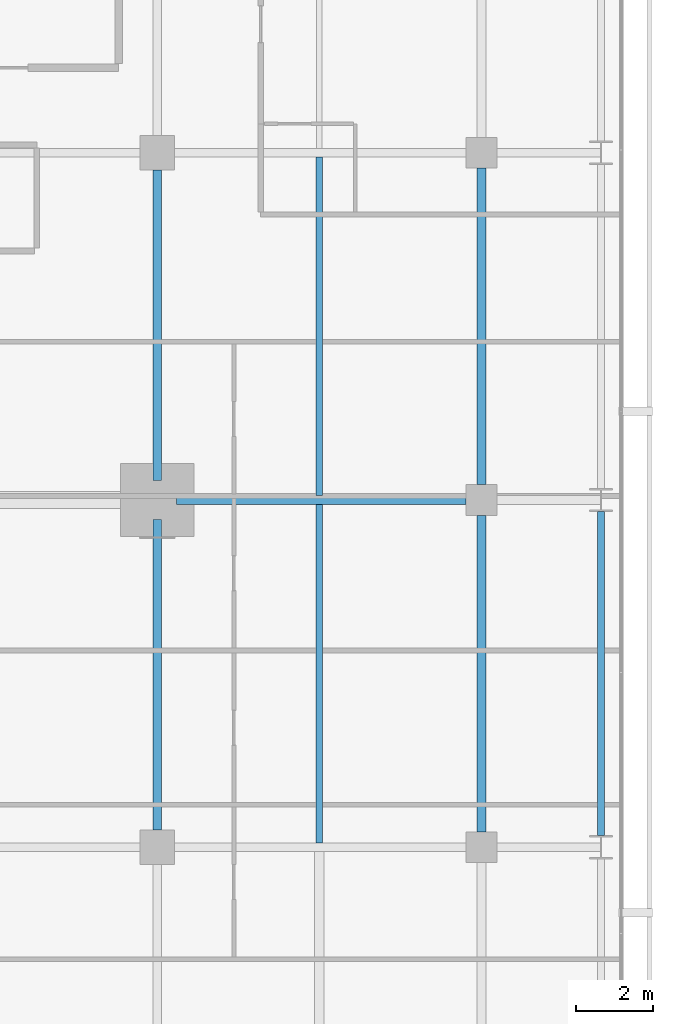
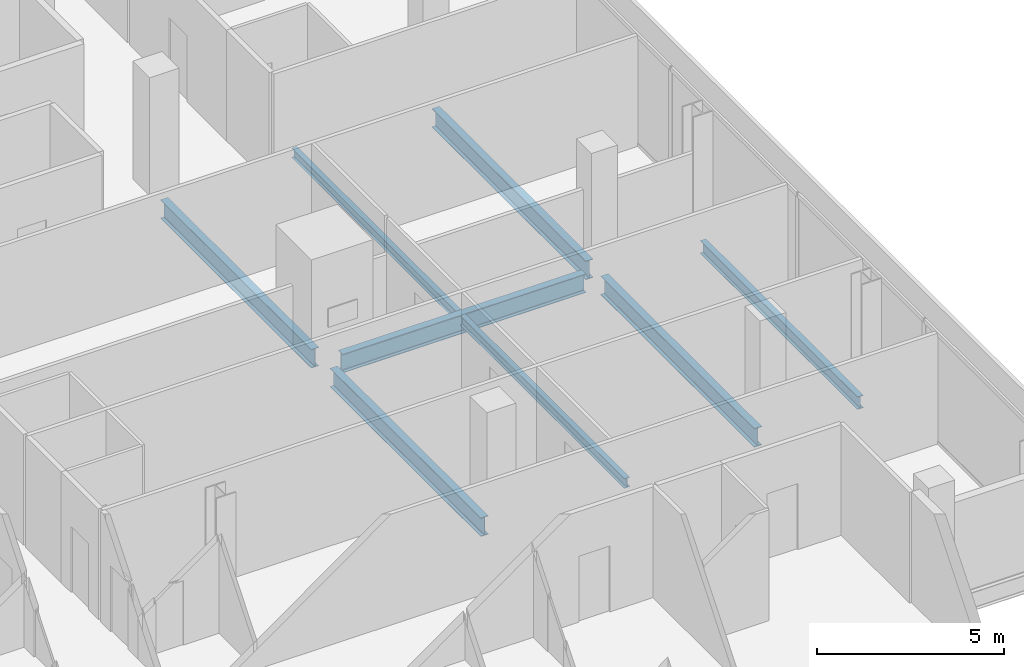
# One storey, part 16 of 34: 8 beams.
"""IFC4 building model written with IfcOpenShell, lengths in metres."""

from ifc_helpers import new_model, si_unit, direction, frame, origin, origin_2d, place, context, subcontext, project, spatial, i_section, extrude, material, material_profile, profile_set, type_object, element, save


model = new_model("IFC4")

# Units and contexts
model_context = context("Model", 3, precision=1e-05, world=origin(), true_north=direction((0.0, 1.0)))
body_context = subcontext(model_context, "Body", "Model", "MODEL_VIEW")
ifc_project = project(units=[si_unit("LENGTHUNIT", "METRE"), si_unit("AREAUNIT", "SQUARE_METRE"), si_unit("VOLUMEUNIT", "CUBIC_METRE"), si_unit("PLANEANGLEUNIT", "RADIAN"), si_unit("MASSUNIT", "GRAM", prefix="KILO")], contexts=[model_context])

# Site, building, storey
site_placement = place(None, origin())
site = spatial("IfcSite", under=ifc_project, at=site_placement, CompositionType="ELEMENT")
building_placement = place(site_placement, origin())
building = spatial("IfcBuilding", under=site, at=building_placement, Name="Maruvema Waterfront Hotel and Observation Tower", CompositionType="ELEMENT")
storey_placement = place(building_placement, frame((0.0, 0.0, 135.10009765625)))
storey = spatial("IfcBuildingStorey", under=building, at=storey_placement, Name="L32", CompositionType="ELEMENT", Elevation=135.10009765625)

# Beams
ifc_material_1 = material(Name="Steel ASTM A572 Grade 50", Category="steel")
ifc_material_profile_1 = material_profile(ifc_material_1, i_section(OverallWidth=0.180908203125, OverallDepth=0.4169921875, WebThickness=0.010986328125, FlangeThickness=0.018310546875, FilletRadius=0.014892578125, at=origin_2d()), Name="W410x85.0")
ifc_profile_set_1 = profile_set([ifc_material_profile_1], Name="Steel ASTM A572 Grade 50")
beam_type_1 = type_object("IfcBeamType", Name="Perimeter Spandrel Beam W410x85.0", PredefinedType="SPANDREL", material=ifc_profile_set_1)
beam_1_placement = place(storey_placement, frame((61.89990234375, 18.300048828125, -0.448486328125), z_axis=(0.0, 1.0, 0.0), x_axis=(-1.0, 0.0, 0.0)))
element("IfcBeam", 1, at=beam_1_placement, inside=storey, type_object=beam_type_1, Name="L32 Floor Girder NS-30", PredefinedType="SPANDREL", context=body_context, shape_type="SweptSolid", body=[
    extrude(i_section(OverallWidth=0.180908203125, OverallDepth=0.4169921875, WebThickness=0.010986328125, FlangeThickness=0.018310546875, FilletRadius=0.014892578125, at=origin_2d()), origin(), (0.0, 0.0, 1.0), 8.39990234375),
])
ifc_material_2 = material(Name="Steel ASTM A572 Grade 50", Category="steel")
ifc_material_profile_2 = material_profile(ifc_material_2, i_section(OverallWidth=0.22900390625, OverallDepth=0.612060546875, WebThickness=0.011962890625, FlangeThickness=0.01953125, FilletRadius=0.01806640625, at=origin_2d()), Name="W610x125.0")
ifc_profile_set_2 = profile_set([ifc_material_profile_2], Name="Steel ASTM A572 Grade 50")
beam_type_2 = type_object("IfcBeamType", Name="Primary Floor Girder W610x125.0", PredefinedType="BEAM", material=ifc_profile_set_2)
beam_2_placement = place(storey_placement, frame((50.89990234375, 27.0, -0.546142578125), z_axis=(1.0, 0.0, 0.0), x_axis=(0.0, 1.0, 0.0)))
element("IfcBeam", 2, at=beam_2_placement, inside=storey, type_object=beam_type_2, Name="L32 Floor Girder EW-21", PredefinedType="BEAM", context=body_context, shape_type="SweptSolid", body=[
    extrude(i_section(OverallWidth=0.22900390625, OverallDepth=0.612060546875, WebThickness=0.011962890625, FlangeThickness=0.01953125, FilletRadius=0.01806640625, at=origin_2d()), origin(), (0.0, 0.0, 1.0), 7.5),
])
for number, where, z_axis, x_axis, name in (
    (3, (50.39990234375, 18.449951171875, -0.546142578125), (0.0, 1.0, 0.0), (-1.0, 0.0, 0.0), "L32 Floor Girder NS-22"),
    (4, (50.39990234375, 27.5, -0.546142578125), (0.0, 1.0, 0.0), (-1.0, 0.0, 0.0), "L32 Floor Girder NS-23"),
):
    element("IfcBeam", number, at=place(storey_placement, frame(where, z_axis=z_axis, x_axis=x_axis)), inside=storey, type_object=beam_type_2, Name=name, PredefinedType="BEAM", context=body_context, shape_type="SweptSolid", body=[
        extrude(i_section(OverallWidth=0.22900390625, OverallDepth=0.612060546875, WebThickness=0.011962890625, FlangeThickness=0.01953125, FilletRadius=0.01806640625, at=origin_2d()), origin(), (0.0, 0.0, 1.0), 8.050048828125),
    ])
for number, where, z_axis, x_axis, name in (
    (5, (58.800048828125, 18.39990234375, -0.546142578125), (0.0, 1.0, 0.0), (-1.0, 0.0, 0.0), "L32 Floor Girder NS-26"),
    (6, (58.800048828125, 27.39990234375, -0.546142578125), (0.0, 1.0, 0.0), (-1.0, 0.0, 0.0), "L32 Floor Girder NS-27"),
):
    element("IfcBeam", number, at=place(storey_placement, frame(where, z_axis=z_axis, x_axis=x_axis)), inside=storey, type_object=beam_type_2, Name=name, PredefinedType="BEAM", context=body_context, shape_type="SweptSolid", body=[
        extrude(i_section(OverallWidth=0.22900390625, OverallDepth=0.612060546875, WebThickness=0.011962890625, FlangeThickness=0.01953125, FilletRadius=0.01806640625, at=origin_2d()), origin(), (0.0, 0.0, 1.0), 8.2001953125),
    ])
ifc_material_3 = material(Name="Steel ASTM A572 Grade 50", Category="steel")
ifc_material_profile_3 = material_profile(ifc_material_3, i_section(OverallWidth=0.1650390625, OverallDepth=0.31005859375, WebThickness=0.005859375, FlangeThickness=0.009765625, FilletRadius=0.012939453125, at=origin_2d()), Name="W310x38.7")
ifc_profile_set_3 = profile_set([ifc_material_profile_3], Name="Steel ASTM A572 Grade 50")
beam_type_3 = type_object("IfcBeamType", Name="Secondary Floor Joist W310x38.7", PredefinedType="JOIST", material=ifc_profile_set_3)
beam_3_placement = place(storey_placement, frame((54.60009765625, 27.114501953125, -0.39501953125), z_axis=(0.0, 1.0, 0.0), x_axis=(-1.0, 0.0, 0.0)))
element("IfcBeam", 7, at=beam_3_placement, inside=storey, type_object=beam_type_3, Name="L32 Secondary Floor Joist JS-13", PredefinedType="JOIST", context=body_context, shape_type="SweptSolid", body=[
    extrude(i_section(OverallWidth=0.1650390625, OverallDepth=0.31005859375, WebThickness=0.005859375, FlangeThickness=0.009765625, FilletRadius=0.012939453125, at=origin_2d()), origin(), (0.0, 0.0, 1.0), 8.77099609375),
])
ifc_material_4 = material(Name="Steel ASTM A572 Grade 50", Category="steel")
ifc_material_profile_4 = material_profile(ifc_material_4, i_section(OverallWidth=0.1669921875, OverallDepth=0.31689453125, WebThickness=0.007568359375, FlangeThickness=0.01318359375, FilletRadius=0.012939453125, at=origin_2d()), Name="W310x52.0")
ifc_profile_set_4 = profile_set([ifc_material_profile_4], Name="Steel ASTM A572 Grade 50")
beam_type_4 = type_object("IfcBeamType", Name="Secondary Floor Joist W310x52.0", PredefinedType="JOIST", material=ifc_profile_set_4)
beam_4_placement = place(storey_placement, frame((54.60009765625, 18.114501953125, -0.398681640625), z_axis=(0.0, 1.0, 0.0), x_axis=(-1.0, 0.0, 0.0)))
element("IfcBeam", 8, at=beam_4_placement, inside=storey, type_object=beam_type_4, Name="L32 Secondary Floor Joist JS-12", PredefinedType="JOIST", context=body_context, shape_type="SweptSolid", body=[
    extrude(i_section(OverallWidth=0.1669921875, OverallDepth=0.31689453125, WebThickness=0.007568359375, FlangeThickness=0.01318359375, FilletRadius=0.012939453125, at=origin_2d()), origin(), (0.0, 0.0, 1.0), 8.77099609375),
])

save(model, "model.ifc")
